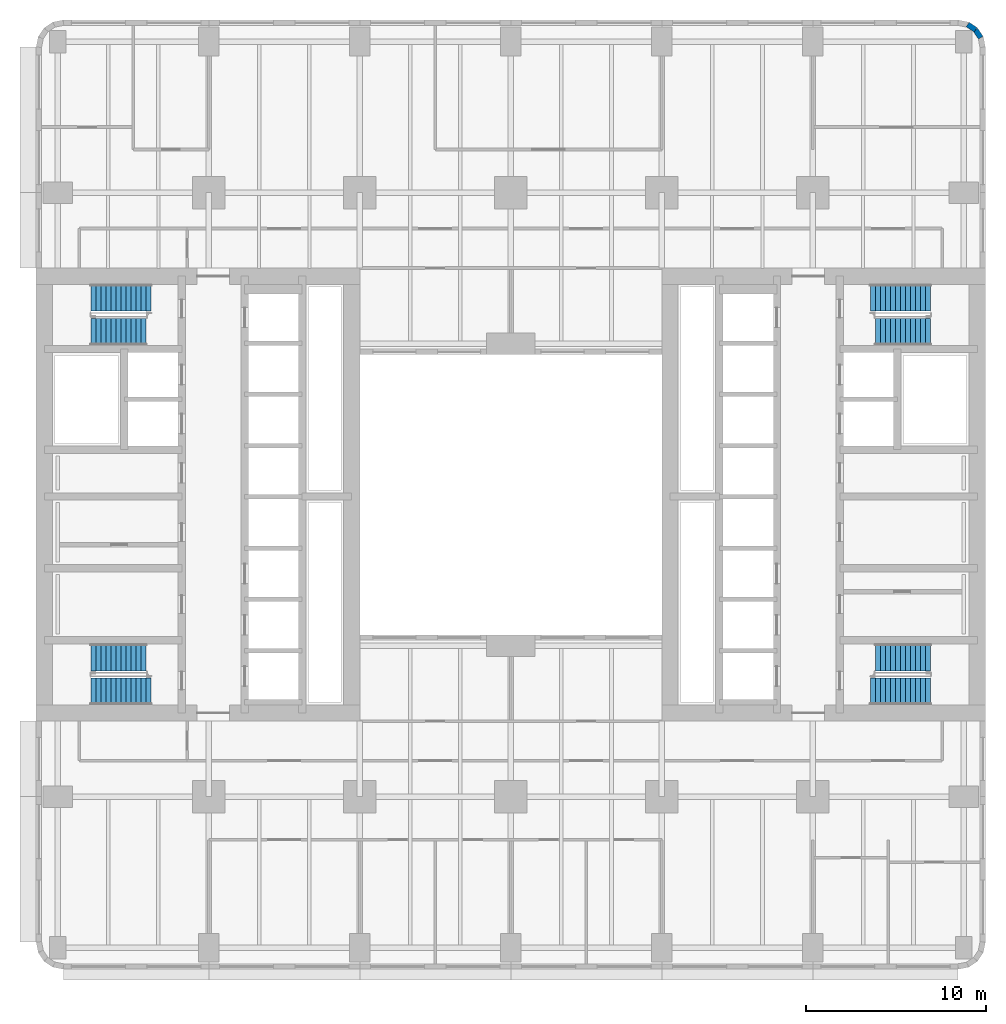
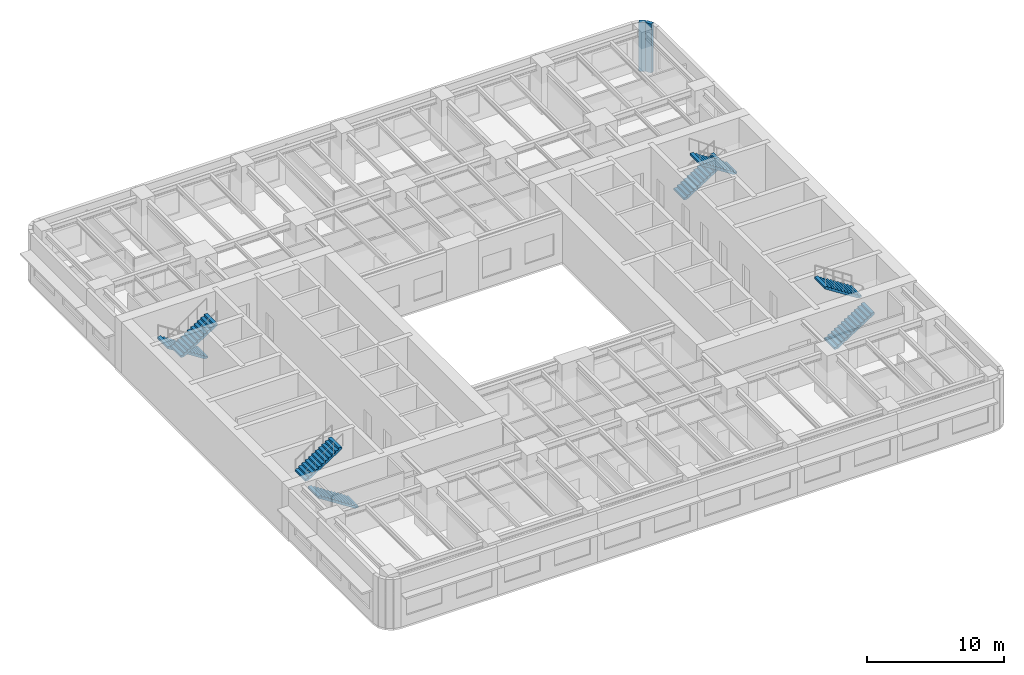
# One storey, part 8 of 14: 8 stair flights, 2 walls, 4 elements without a shape of their own.
"""IFC4 building model written with IfcOpenShell, lengths in metres."""

from ifc_helpers import new_model, si_unit, direction, frame, frame_2d, origin, place, context, subcontext, project, spatial, polyline, rectangle, outline, extrude, material, layer, layer_set, type_object, element, aggregate, save


model = new_model("IFC4")

# Units and contexts
model_context = context("Model", 3, precision=1e-05, world=origin(), true_north=direction((0.0, 1.0)))
body_context = subcontext(model_context, "Body", "Model", "MODEL_VIEW")
ifc_project = project(units=[si_unit("LENGTHUNIT", "METRE"), si_unit("AREAUNIT", "SQUARE_METRE"), si_unit("VOLUMEUNIT", "CUBIC_METRE"), si_unit("PLANEANGLEUNIT", "RADIAN"), si_unit("MASSUNIT", "GRAM", prefix="KILO")], contexts=[model_context])

# Site, building, storey
site_placement = place(None, origin())
site = spatial("IfcSite", under=ifc_project, at=site_placement, CompositionType="ELEMENT")
building_placement = place(site_placement, origin())
building = spatial("IfcBuilding", under=site, at=building_placement, Name="Claustro Exchange Tower", CompositionType="ELEMENT")
storey_placement = place(building_placement, frame((0.0, 0.0, 59.39990234375)))
storey = spatial("IfcBuildingStorey", under=building, at=storey_placement, Name="L13", CompositionType="ELEMENT", Elevation=59.39990234375)

# Walls
ifc_material_1 = material(Name="Concrete HA-40 (C40/50), precast, white cement, acid-etched", Category="concrete")
ifc_layer = layer(ifc_material_1, 0.300048828125)
ifc_layer_set = layer_set([ifc_layer], Name="Concrete HA-40 (C40/50), precast, white cement, acid-etched")
wall_type = type_object("IfcWallType", Name="PC1 300 precast concrete pier panel", PredefinedType="SOLIDWALL", material=ifc_layer_set)
for number, where, z_axis, x_axis, name in (
    (1, (50.615478515625, 51.344482421875, 0.0), (0.0, 0.0, 1.0), (0.831478144188, -0.555557463938, 0.0), "Precast pier panel PC1 L13"),
    (2, (51.052490234375, 51.052490234375, 0.0), (0.0, 0.0, 1.0), (0.555557463938, -0.831478144188, 0.0), "Precast pier panel PC1 L13"),
):
    element("IfcWall", number, at=place(storey_placement, frame(where, z_axis=z_axis, x_axis=x_axis)), inside=storey, type_object=wall_type, Name=name, PredefinedType="SOLIDWALL", context=body_context, shape_type="SweptSolid", body=[
        extrude(rectangle(XDim=0.525634765625, YDim=0.300048828125, at=frame_2d((0.2626953125, 0.0))), origin(), (0.0, 0.0, 1.0), 4.340087890625),
    ])

# Stair, stair flight
ifc_material_2 = material(Name="Concrete HA-30 (C30/37), precast", Category="concrete")
stair_type = type_object("IfcStairType", Name="ST2 half-turn stair, 25 risers of 180", PredefinedType="HALF_TURN_STAIR", material=ifc_material_2)
stair_1_placement = place(storey_placement, origin())
stair_1 = element("IfcStair", 3, at=stair_1_placement, inside=storey, type_object=stair_type, Name="Stair STWA L13", PredefinedType="HALF_TURN_STAIR")
ifc_material_3 = material(Name="Concrete HA-30 (C30/37), precast", Category="concrete")
stair_flight_type_1 = type_object("IfcStairFlightType", Name="SF12B straight flight, 12 risers of 180, 1500 wide", PredefinedType="STRAIGHT", material=ifc_material_3)
stair_flight_1_placement = place(storey_placement, frame((1.840087890625, 16.14990234375, 2.340087890625), z_axis=(0.0, 0.0, 1.0), x_axis=(1.0, 0.0, 0.0)))
stair_flight_1 = element("IfcStairFlight", 4, at=stair_flight_1_placement, type_object=stair_flight_type_1, Name="STWA flight 2", NumberOfRisers=12, NumberOfTreads=11, PredefinedType="STRAIGHT", RiserHeight=0.18, TreadLength=0.28, context=body_context, shape_type="SweptSolid", body=[
    extrude(outline(polyline([(0.0, 0.0), (0.0, 0.179931640625), (0.280029296875, 0.179931640625), (0.280029296875, 0.360107421875), (0.56005859375, 0.360107421875), (0.56005859375, 0.5400390625), (0.840087890625, 0.5400390625), (0.840087890625, 0.719970703125), (1.1201171875, 0.719970703125), (1.1201171875, 0.89990234375), (1.39990234375, 0.89990234375), (1.39990234375, 1.080078125), (1.679931640625, 1.080078125), (1.679931640625, 1.260009765625), (1.9599609375, 1.260009765625), (1.9599609375, 1.43994140625), (2.239990234375, 1.43994140625), (2.239990234375, 1.6201171875), (2.52001953125, 1.6201171875), (2.52001953125, 1.800048828125), (2.800048828125, 1.800048828125), (2.800048828125, 1.97998046875), (3.080078125, 1.97998046875), (3.080078125, 2.159912109375), (3.080078125, 1.8017578125), (0.277099609375, 0.0), (0.0, 0.0)])), frame((0.0, 0.75, 0.0), z_axis=(0.0, -1.0, 0.0), x_axis=(1.0, 0.0, 0.0)), (0.0, 0.0, 1.0), 1.5),
])

stair_2_placement = place(storey_placement, origin())
stair_2 = element("IfcStair", 5, at=stair_2_placement, inside=storey, type_object=stair_type, Name="Stair STWB L13", PredefinedType="HALF_TURN_STAIR")
stair_flight_2_placement = place(storey_placement, frame((1.840087890625, 34.25, 2.340087890625), z_axis=(0.0, 0.0, 1.0), x_axis=(1.0, 0.0, 0.0)))
stair_flight_2 = element("IfcStairFlight", 6, at=stair_flight_2_placement, type_object=stair_flight_type_1, Name="STWB flight 2", NumberOfRisers=12, NumberOfTreads=11, PredefinedType="STRAIGHT", RiserHeight=0.18, TreadLength=0.28, context=body_context, shape_type="SweptSolid", body=[
    extrude(outline(polyline([(0.0, 0.0), (0.0, 0.179931640625), (0.280029296875, 0.179931640625), (0.280029296875, 0.360107421875), (0.56005859375, 0.360107421875), (0.56005859375, 0.5400390625), (0.840087890625, 0.5400390625), (0.840087890625, 0.719970703125), (1.1201171875, 0.719970703125), (1.1201171875, 0.89990234375), (1.39990234375, 0.89990234375), (1.39990234375, 1.080078125), (1.679931640625, 1.080078125), (1.679931640625, 1.260009765625), (1.9599609375, 1.260009765625), (1.9599609375, 1.43994140625), (2.239990234375, 1.43994140625), (2.239990234375, 1.6201171875), (2.52001953125, 1.6201171875), (2.52001953125, 1.800048828125), (2.800048828125, 1.800048828125), (2.800048828125, 1.97998046875), (3.080078125, 1.97998046875), (3.080078125, 2.159912109375), (3.080078125, 1.8017578125), (0.277099609375, 0.0), (0.0, 0.0)])), frame((0.0, 0.75, 0.0), z_axis=(0.0, -1.0, 0.0), x_axis=(1.0, 0.0, 0.0)), (0.0, 0.0, 1.0), 1.5),
])

stair_3_placement = place(storey_placement, origin())
stair_3 = element("IfcStair", 7, at=stair_3_placement, inside=storey, type_object=stair_type, Name="Stair STEA L13", PredefinedType="HALF_TURN_STAIR")
stair_flight_3_placement = place(storey_placement, frame((48.56005859375, 16.14990234375, 2.340087890625), z_axis=(0.0, 0.0, 1.0), x_axis=(-1.0, 0.0, 0.0)))
stair_flight_3 = element("IfcStairFlight", 8, at=stair_flight_3_placement, type_object=stair_flight_type_1, Name="STEA flight 2", NumberOfRisers=12, NumberOfTreads=11, PredefinedType="STRAIGHT", RiserHeight=0.18, TreadLength=0.28, context=body_context, shape_type="SweptSolid", body=[
    extrude(outline(polyline([(0.0, 0.0), (0.0, 0.179931640625), (0.280029296875, 0.179931640625), (0.280029296875, 0.360107421875), (0.56005859375, 0.360107421875), (0.56005859375, 0.5400390625), (0.840087890625, 0.5400390625), (0.840087890625, 0.719970703125), (1.1201171875, 0.719970703125), (1.1201171875, 0.89990234375), (1.39990234375, 0.89990234375), (1.39990234375, 1.080078125), (1.679931640625, 1.080078125), (1.679931640625, 1.260009765625), (1.9599609375, 1.260009765625), (1.9599609375, 1.43994140625), (2.239990234375, 1.43994140625), (2.239990234375, 1.6201171875), (2.52001953125, 1.6201171875), (2.52001953125, 1.800048828125), (2.800048828125, 1.800048828125), (2.800048828125, 1.97998046875), (3.080078125, 1.97998046875), (3.080078125, 2.159912109375), (3.080078125, 1.8017578125), (0.277099609375, 0.0), (0.0, 0.0)])), frame((0.0, 0.75, 0.0), z_axis=(0.0, -1.0, 0.0), x_axis=(1.0, 0.0, 0.0)), (0.0, 0.0, 1.0), 1.5),
])

stair_4_placement = place(storey_placement, origin())
stair_4 = element("IfcStair", 9, at=stair_4_placement, inside=storey, type_object=stair_type, Name="Stair STEB L13", PredefinedType="HALF_TURN_STAIR")
stair_flight_4_placement = place(storey_placement, frame((48.56005859375, 34.25, 2.340087890625), z_axis=(0.0, 0.0, 1.0), x_axis=(-1.0, 0.0, 0.0)))
stair_flight_4 = element("IfcStairFlight", 10, at=stair_flight_4_placement, type_object=stair_flight_type_1, Name="STEB flight 2", NumberOfRisers=12, NumberOfTreads=11, PredefinedType="STRAIGHT", RiserHeight=0.18, TreadLength=0.28, context=body_context, shape_type="SweptSolid", body=[
    extrude(outline(polyline([(0.0, 0.0), (0.0, 0.179931640625), (0.280029296875, 0.179931640625), (0.280029296875, 0.360107421875), (0.56005859375, 0.360107421875), (0.56005859375, 0.5400390625), (0.840087890625, 0.5400390625), (0.840087890625, 0.719970703125), (1.1201171875, 0.719970703125), (1.1201171875, 0.89990234375), (1.39990234375, 0.89990234375), (1.39990234375, 1.080078125), (1.679931640625, 1.080078125), (1.679931640625, 1.260009765625), (1.9599609375, 1.260009765625), (1.9599609375, 1.43994140625), (2.239990234375, 1.43994140625), (2.239990234375, 1.6201171875), (2.52001953125, 1.6201171875), (2.52001953125, 1.800048828125), (2.800048828125, 1.800048828125), (2.800048828125, 1.97998046875), (3.080078125, 1.97998046875), (3.080078125, 2.159912109375), (3.080078125, 1.8017578125), (0.277099609375, 0.0), (0.0, 0.0)])), frame((0.0, 0.75, 0.0), z_axis=(0.0, -1.0, 0.0), x_axis=(1.0, 0.0, 0.0)), (0.0, 0.0, 1.0), 1.5),
])

# Stair flight
ifc_material_4 = material(Name="Concrete HA-30 (C30/37), precast", Category="concrete")
stair_flight_type_2 = type_object("IfcStairFlightType", Name="SF13 straight flight, 13 risers of 180, 1500 wide", PredefinedType="STRAIGHT", material=ifc_material_4)
stair_flight_5_placement = place(storey_placement, frame((5.199951171875, 14.25, 0.0), z_axis=(0.0, 0.0, 1.0), x_axis=(-1.0, 0.0, 0.0)))
stair_flight_5 = element("IfcStairFlight", 11, at=stair_flight_5_placement, type_object=stair_flight_type_2, Name="STWA flight 1", NumberOfRisers=13, NumberOfTreads=12, PredefinedType="STRAIGHT", RiserHeight=0.18, TreadLength=0.28, context=body_context, shape_type="SweptSolid", body=[
    extrude(outline(polyline([(0.0, 0.0), (0.0, 0.179931640625), (0.280029296875, 0.179931640625), (0.280029296875, 0.360107421875), (0.56005859375, 0.360107421875), (0.56005859375, 0.5400390625), (0.840087890625, 0.5400390625), (0.840087890625, 0.719970703125), (1.1201171875, 0.719970703125), (1.1201171875, 0.89990234375), (1.39990234375, 0.89990234375), (1.39990234375, 1.080078125), (1.679931640625, 1.080078125), (1.679931640625, 1.260009765625), (1.9599609375, 1.260009765625), (1.9599609375, 1.43994140625), (2.239990234375, 1.43994140625), (2.239990234375, 1.6201171875), (2.52001953125, 1.6201171875), (2.52001953125, 1.800048828125), (2.800048828125, 1.800048828125), (2.800048828125, 1.97998046875), (3.080078125, 1.97998046875), (3.080078125, 2.159912109375), (3.360107421875, 2.159912109375), (3.360107421875, 2.340087890625), (3.360107421875, 1.981689453125), (0.277099609375, 0.0), (0.0, 0.0)])), frame((0.0, 0.75, 0.0), z_axis=(0.0, -1.0, 0.0), x_axis=(1.0, 0.0, 0.0)), (0.0, 0.0, 1.0), 1.5),
])

aggregate(stair_1, [stair_flight_5, stair_flight_1])

stair_flight_6_placement = place(storey_placement, frame((5.199951171875, 36.14990234375, 0.0), z_axis=(0.0, 0.0, 1.0), x_axis=(-1.0, 0.0, 0.0)))
stair_flight_6 = element("IfcStairFlight", 12, at=stair_flight_6_placement, type_object=stair_flight_type_2, Name="STWB flight 1", NumberOfRisers=13, NumberOfTreads=12, PredefinedType="STRAIGHT", RiserHeight=0.18, TreadLength=0.28, context=body_context, shape_type="SweptSolid", body=[
    extrude(outline(polyline([(0.0, 0.0), (0.0, 0.179931640625), (0.280029296875, 0.179931640625), (0.280029296875, 0.360107421875), (0.56005859375, 0.360107421875), (0.56005859375, 0.5400390625), (0.840087890625, 0.5400390625), (0.840087890625, 0.719970703125), (1.1201171875, 0.719970703125), (1.1201171875, 0.89990234375), (1.39990234375, 0.89990234375), (1.39990234375, 1.080078125), (1.679931640625, 1.080078125), (1.679931640625, 1.260009765625), (1.9599609375, 1.260009765625), (1.9599609375, 1.43994140625), (2.239990234375, 1.43994140625), (2.239990234375, 1.6201171875), (2.52001953125, 1.6201171875), (2.52001953125, 1.800048828125), (2.800048828125, 1.800048828125), (2.800048828125, 1.97998046875), (3.080078125, 1.97998046875), (3.080078125, 2.159912109375), (3.360107421875, 2.159912109375), (3.360107421875, 2.340087890625), (3.360107421875, 1.981689453125), (0.277099609375, 0.0), (0.0, 0.0)])), frame((0.0, 0.75, 0.0), z_axis=(0.0, -1.0, 0.0), x_axis=(1.0, 0.0, 0.0)), (0.0, 0.0, 1.0), 1.5),
])

aggregate(stair_2, [stair_flight_6, stair_flight_2])

stair_flight_7_placement = place(storey_placement, frame((45.199951171875, 14.25, 0.0), z_axis=(0.0, 0.0, 1.0), x_axis=(1.0, 0.0, 0.0)))
stair_flight_7 = element("IfcStairFlight", 13, at=stair_flight_7_placement, type_object=stair_flight_type_2, Name="STEA flight 1", NumberOfRisers=13, NumberOfTreads=12, PredefinedType="STRAIGHT", RiserHeight=0.18, TreadLength=0.28, context=body_context, shape_type="SweptSolid", body=[
    extrude(outline(polyline([(0.0, 0.0), (0.0, 0.179931640625), (0.280029296875, 0.179931640625), (0.280029296875, 0.360107421875), (0.56005859375, 0.360107421875), (0.56005859375, 0.5400390625), (0.840087890625, 0.5400390625), (0.840087890625, 0.719970703125), (1.1201171875, 0.719970703125), (1.1201171875, 0.89990234375), (1.39990234375, 0.89990234375), (1.39990234375, 1.080078125), (1.679931640625, 1.080078125), (1.679931640625, 1.260009765625), (1.9599609375, 1.260009765625), (1.9599609375, 1.43994140625), (2.239990234375, 1.43994140625), (2.239990234375, 1.6201171875), (2.52001953125, 1.6201171875), (2.52001953125, 1.800048828125), (2.800048828125, 1.800048828125), (2.800048828125, 1.97998046875), (3.080078125, 1.97998046875), (3.080078125, 2.159912109375), (3.360107421875, 2.159912109375), (3.360107421875, 2.340087890625), (3.360107421875, 1.981689453125), (0.277099609375, 0.0), (0.0, 0.0)])), frame((0.0, 0.75, 0.0), z_axis=(0.0, -1.0, 0.0), x_axis=(1.0, 0.0, 0.0)), (0.0, 0.0, 1.0), 1.5),
])

aggregate(stair_3, [stair_flight_7, stair_flight_3])

stair_flight_8_placement = place(storey_placement, frame((45.199951171875, 36.14990234375, 0.0), z_axis=(0.0, 0.0, 1.0), x_axis=(1.0, 0.0, 0.0)))
stair_flight_8 = element("IfcStairFlight", 14, at=stair_flight_8_placement, type_object=stair_flight_type_2, Name="STEB flight 1", NumberOfRisers=13, NumberOfTreads=12, PredefinedType="STRAIGHT", RiserHeight=0.18, TreadLength=0.28, context=body_context, shape_type="SweptSolid", body=[
    extrude(outline(polyline([(0.0, 0.0), (0.0, 0.179931640625), (0.280029296875, 0.179931640625), (0.280029296875, 0.360107421875), (0.56005859375, 0.360107421875), (0.56005859375, 0.5400390625), (0.840087890625, 0.5400390625), (0.840087890625, 0.719970703125), (1.1201171875, 0.719970703125), (1.1201171875, 0.89990234375), (1.39990234375, 0.89990234375), (1.39990234375, 1.080078125), (1.679931640625, 1.080078125), (1.679931640625, 1.260009765625), (1.9599609375, 1.260009765625), (1.9599609375, 1.43994140625), (2.239990234375, 1.43994140625), (2.239990234375, 1.6201171875), (2.52001953125, 1.6201171875), (2.52001953125, 1.800048828125), (2.800048828125, 1.800048828125), (2.800048828125, 1.97998046875), (3.080078125, 1.97998046875), (3.080078125, 2.159912109375), (3.360107421875, 2.159912109375), (3.360107421875, 2.340087890625), (3.360107421875, 1.981689453125), (0.277099609375, 0.0), (0.0, 0.0)])), frame((0.0, 0.75, 0.0), z_axis=(0.0, -1.0, 0.0), x_axis=(1.0, 0.0, 0.0)), (0.0, 0.0, 1.0), 1.5),
])

aggregate(stair_4, [stair_flight_8, stair_flight_4])

save(model, "model.ifc")
